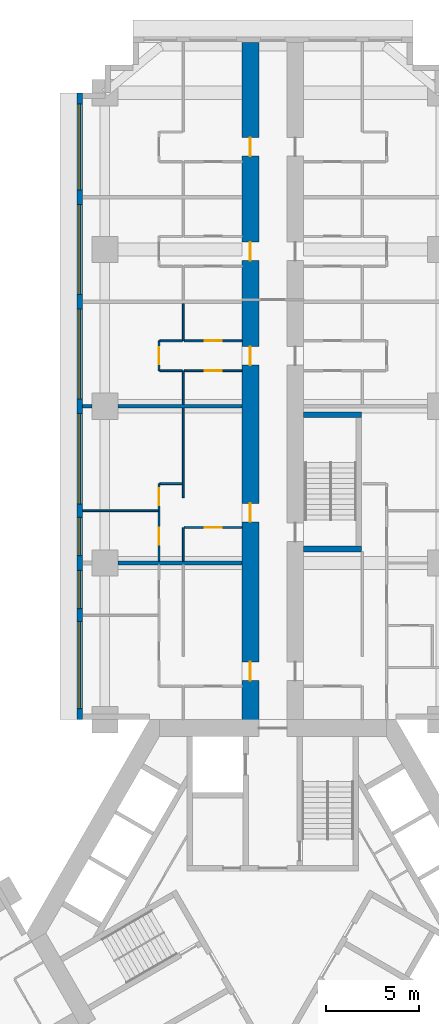
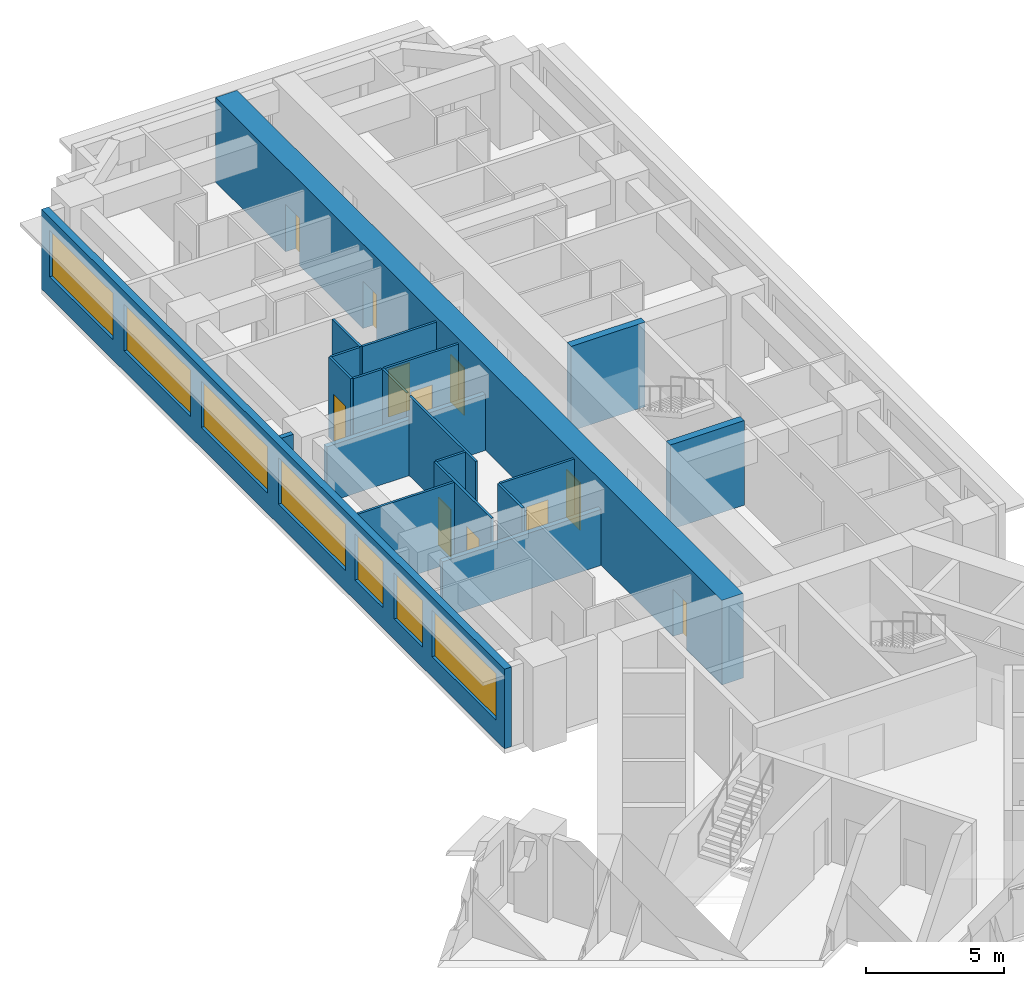
# One storey, part 9 of 16: 20 walls, 11 doors, 7 windows, 18 openings.
"""IFC4 building model written with IfcOpenShell, lengths in metres."""

from ifc_helpers import new_model, si_unit, direction, frame, frame_2d, origin, place, context, subcontext, project, spatial, rectangle, extrude, material, layer, layer_set, type_object, element, fill, save


model = new_model("IFC4")

# Units and contexts
model_context = context("Model", 3, precision=1e-05, world=origin(), true_north=direction((0.0, 1.0)))
body_context = subcontext(model_context, "Body", "Model", "MODEL_VIEW")
ifc_project = project(units=[si_unit("LENGTHUNIT", "METRE"), si_unit("AREAUNIT", "SQUARE_METRE"), si_unit("VOLUMEUNIT", "CUBIC_METRE"), si_unit("PLANEANGLEUNIT", "RADIAN"), si_unit("MASSUNIT", "GRAM", prefix="KILO")], contexts=[model_context])

# Site, building, storey
site_placement = place(None, origin())
site = spatial("IfcSite", under=ifc_project, at=site_placement, CompositionType="ELEMENT")
building_placement = place(site_placement, origin())
building = spatial("IfcBuilding", under=site, at=building_placement, Name="Impinga Residences", CompositionType="ELEMENT")
storey_placement = place(building_placement, frame((0.0, 0.0, 52.25)))
storey = spatial("IfcBuildingStorey", under=building, at=storey_placement, Name="L12", CompositionType="ELEMENT", Elevation=52.25)

# Wall, openings, doors
ifc_material_1 = material(Name="Concrete C70/85", Category="concrete")
ifc_layer_1 = layer(ifc_material_1, 0.89990234375)
ifc_layer_set_1 = layer_set([ifc_layer_1], Name="Concrete C70/85")
wall_type_1 = type_object("IfcWallType", Name="BW1 corridor buttress wall, L05 to L22 900", PredefinedType="SHEAR", material=ifc_layer_set_1)
wall_1_placement = place(storey_placement, frame((-1.199951171875, 10.9814453125, 0.0), z_axis=(0.0, 0.0, 1.0), x_axis=(0.0, 1.0, 0.0)))
wall_1 = element("IfcWall", 1, at=wall_1_placement, inside=storey, type_object=wall_type_1, Name="Corridor wall BW1 NC L12", PredefinedType="SHEAR", context=body_context, shape_type="SweptSolid", body=[
    extrude(rectangle(XDim=36.75, YDim=0.89990234375, at=frame_2d((18.375, 0.0))), origin(), (0.0, 0.0, 1.0), 3.75),
])
opening_1_placement = place(wall_1_placement, frame((2.550048828125, 0.0, 0.0)))
opening_1 = element("IfcOpeningElement", 2, at=opening_1_placement, cuts=wall_1, Name="Opening D1", PredefinedType="OPENING", context=body_context, shape_type="SweptSolid", body=[
    extrude(rectangle(XDim=1.0, YDim=2.10009765625, at=frame_2d((0.5, 1.050048828125))), frame((0.0, 0.4599609375, 0.0), z_axis=(0.0, -1.0, 0.0), x_axis=(1.0, 0.0, 0.0)), (0.0, 0.0, 1.0), 0.919921875),
])
opening_2_placement = place(wall_1_placement, frame((11.050048828125, 0.0, 0.0)))
opening_2 = element("IfcOpeningElement", 3, at=opening_2_placement, cuts=wall_1, Name="Opening D1", PredefinedType="OPENING", context=body_context, shape_type="SweptSolid", body=[
    extrude(rectangle(XDim=1.0, YDim=2.10009765625, at=frame_2d((0.5, 1.050048828125))), frame((0.0, 0.4599609375, 0.0), z_axis=(0.0, -1.0, 0.0), x_axis=(1.0, 0.0, 0.0)), (0.0, 0.0, 1.0), 0.919921875),
])
opening_3_placement = place(wall_1_placement, frame((19.449951171875, 0.0, 0.0)))
opening_3 = element("IfcOpeningElement", 4, at=opening_3_placement, cuts=wall_1, Name="Opening D1", PredefinedType="OPENING", context=body_context, shape_type="SweptSolid", body=[
    extrude(rectangle(XDim=1.0, YDim=2.10009765625, at=frame_2d((0.5, 1.050048828125))), frame((0.0, 0.4599609375, 0.0), z_axis=(0.0, -1.0, 0.0), x_axis=(1.0, 0.0, 0.0)), (0.0, 0.0, 1.0), 0.919921875),
])
opening_4_placement = place(wall_1_placement, frame((25.050048828125, 0.0, 0.0)))
opening_4 = element("IfcOpeningElement", 5, at=opening_4_placement, cuts=wall_1, Name="Opening D1", PredefinedType="OPENING", context=body_context, shape_type="SweptSolid", body=[
    extrude(rectangle(XDim=1.0, YDim=2.10009765625, at=frame_2d((0.5, 1.050048828125))), frame((0.0, 0.4599609375, 0.0), z_axis=(0.0, -1.0, 0.0), x_axis=(1.0, 0.0, 0.0)), (0.0, 0.0, 1.0), 0.919921875),
])
opening_5_placement = place(wall_1_placement, frame((30.64990234375, 0.0, 0.0)))
opening_5 = element("IfcOpeningElement", 6, at=opening_5_placement, cuts=wall_1, Name="Opening D1", PredefinedType="OPENING", context=body_context, shape_type="SweptSolid", body=[
    extrude(rectangle(XDim=1.0, YDim=2.10009765625, at=frame_2d((0.5, 1.050048828125))), frame((0.0, 0.4599609375, 0.0), z_axis=(0.0, -1.0, 0.0), x_axis=(1.0, 0.0, 0.0)), (0.0, 0.0, 1.0), 0.919921875),
])
ifc_material_2 = material(Name="Timber door set", Category="wood")
door_type_1 = type_object("IfcDoorType", Name="D1 apartment entrance door 1000x2100", OperationType="SINGLE_SWING_LEFT", PredefinedType="DOOR", material=ifc_material_2)
door_1_placement = place(opening_1_placement, origin())
door_1 = element("IfcDoor", 7, at=door_1_placement, inside=storey, type_object=door_type_1, Name="Apartment L12-NA1 entrance", OperationType="SINGLE_SWING_LEFT", OverallHeight=2.10009765625, OverallWidth=1.0, PredefinedType="DOOR", context=body_context, shape_type="SweptSolid", body=[
    extrude(rectangle(XDim=1.0, YDim=2.10009765625, at=frame_2d((0.5, 1.050048828125))), frame((0.0, 0.02490234375, 0.0), z_axis=(0.0, -1.0, 0.0), x_axis=(1.0, 0.0, 0.0)), (0.0, 0.0, 1.0), 0.050048828125),
])
fill(opening_1, door_1)
door_2_placement = place(opening_2_placement, origin())
door_2 = element("IfcDoor", 8, at=door_2_placement, inside=storey, type_object=door_type_1, Name="Apartment L12-NA2 entrance", OperationType="SINGLE_SWING_LEFT", OverallHeight=2.10009765625, OverallWidth=1.0, PredefinedType="DOOR", context=body_context, shape_type="SweptSolid", body=[
    extrude(rectangle(XDim=1.0, YDim=2.10009765625, at=frame_2d((0.5, 1.050048828125))), frame((0.0, 0.02490234375, 0.0), z_axis=(0.0, -1.0, 0.0), x_axis=(1.0, 0.0, 0.0)), (0.0, 0.0, 1.0), 0.050048828125),
])
fill(opening_2, door_2)
door_3_placement = place(opening_3_placement, origin())
door_3 = element("IfcDoor", 9, at=door_3_placement, inside=storey, type_object=door_type_1, Name="Apartment L12-NA3 entrance", OperationType="SINGLE_SWING_RIGHT", OverallHeight=2.10009765625, OverallWidth=1.0, PredefinedType="DOOR", context=body_context, shape_type="SweptSolid", body=[
    extrude(rectangle(XDim=1.0, YDim=2.10009765625, at=frame_2d((0.5, 1.050048828125))), frame((0.0, 0.02490234375, 0.0), z_axis=(0.0, -1.0, 0.0), x_axis=(1.0, 0.0, 0.0)), (0.0, 0.0, 1.0), 0.050048828125),
])
fill(opening_3, door_3)
door_4_placement = place(opening_4_placement, origin())
door_4 = element("IfcDoor", 10, at=door_4_placement, inside=storey, type_object=door_type_1, Name="Apartment L12-NA4 entrance", OperationType="SINGLE_SWING_RIGHT", OverallHeight=2.10009765625, OverallWidth=1.0, PredefinedType="DOOR", context=body_context, shape_type="SweptSolid", body=[
    extrude(rectangle(XDim=1.0, YDim=2.10009765625, at=frame_2d((0.5, 1.050048828125))), frame((0.0, 0.02490234375, 0.0), z_axis=(0.0, -1.0, 0.0), x_axis=(1.0, 0.0, 0.0)), (0.0, 0.0, 1.0), 0.050048828125),
])
fill(opening_4, door_4)
door_5_placement = place(opening_5_placement, origin())
door_5 = element("IfcDoor", 11, at=door_5_placement, inside=storey, type_object=door_type_1, Name="Apartment L12-NA5 entrance", OperationType="SINGLE_SWING_RIGHT", OverallHeight=2.10009765625, OverallWidth=1.0, PredefinedType="DOOR", context=body_context, shape_type="SweptSolid", body=[
    extrude(rectangle(XDim=1.0, YDim=2.10009765625, at=frame_2d((0.5, 1.050048828125))), frame((0.0, 0.02490234375, 0.0), z_axis=(0.0, -1.0, 0.0), x_axis=(1.0, 0.0, 0.0)), (0.0, 0.0, 1.0), 0.050048828125),
])
fill(opening_5, door_5)

# Wall, openings, windows
ifc_material_3 = material(Name="Terracotta rainscreen on blockwork", Category="masonry")
ifc_layer_2 = layer(ifc_material_3, 0.300048828125)
ifc_layer_set_2 = layer_set([ifc_layer_2], Name="EW1 external wall, terracotta rainscreen on blockwork 300")
wall_type_2 = type_object("IfcWallType", Name="EW1 external wall, terracotta rainscreen on blockwork 300", PredefinedType="SOLIDWALL", material=ifc_layer_set_2)
wall_2_placement = place(storey_placement, frame((-10.35009765625, 11.431640625, 0.0), z_axis=(0.0, 0.0, 1.0), x_axis=(0.0, 1.0, 0.0)))
wall_2 = element("IfcWall", 12, at=wall_2_placement, inside=storey, type_object=wall_type_2, Name="External wall EW1 L12", PredefinedType="SOLIDWALL", context=body_context, shape_type="SweptSolid", body=[
    extrude(rectangle(XDim=33.599853515625, YDim=0.300048828125, at=frame_2d((16.7998046875, 0.0))), origin(), (0.0, 0.0, 1.0), 3.530029296875),
])
opening_6_placement = place(wall_2_placement, frame((0.60009765625, 0.0, 0.89990234375)))
opening_6 = element("IfcOpeningElement", 13, at=opening_6_placement, cuts=wall_2, Name="Opening W10", PredefinedType="OPENING", context=body_context, shape_type="SweptSolid", body=[
    extrude(rectangle(XDim=4.64990234375, YDim=2.050048828125, at=frame_2d((2.324951171875, 1.02490234375))), frame((0.0, 0.159912109375, 0.0), z_axis=(0.0, -1.0, 0.0), x_axis=(1.0, 0.0, 0.0)), (0.0, 0.0, 1.0), 0.320068359375),
])
opening_7_placement = place(wall_2_placement, frame((5.949951171875, 0.0, 0.89990234375)))
opening_7 = element("IfcOpeningElement", 14, at=opening_7_placement, cuts=wall_2, Name="Opening W14", PredefinedType="OPENING", context=body_context, shape_type="SweptSolid", body=[
    extrude(rectangle(XDim=2.050048828125, YDim=2.050048828125, at=frame_2d((1.02490234375, 1.02490234375))), frame((0.0, 0.159912109375, 0.0), z_axis=(0.0, -1.0, 0.0), x_axis=(1.0, 0.0, 0.0)), (0.0, 0.0, 1.0), 0.320068359375),
])
opening_8_placement = place(wall_2_placement, frame((8.800048828125, 0.0, 0.89990234375)))
opening_8 = element("IfcOpeningElement", 15, at=opening_8_placement, cuts=wall_2, Name="Opening W14", PredefinedType="OPENING", context=body_context, shape_type="SweptSolid", body=[
    extrude(rectangle(XDim=2.050048828125, YDim=2.050048828125, at=frame_2d((1.02490234375, 1.02490234375))), frame((0.0, 0.159912109375, 0.0), z_axis=(0.0, -1.0, 0.0), x_axis=(1.0, 0.0, 0.0)), (0.0, 0.0, 1.0), 0.320068359375),
])
opening_9_placement = place(wall_2_placement, frame((11.550048828125, 0.0, 0.89990234375)))
opening_9 = element("IfcOpeningElement", 16, at=opening_9_placement, cuts=wall_2, Name="Opening W6", PredefinedType="OPENING", context=body_context, shape_type="SweptSolid", body=[
    extrude(rectangle(XDim=4.85009765625, YDim=2.050048828125, at=frame_2d((2.425048828125, 1.02490234375))), frame((0.0, 0.159912109375, 0.0), z_axis=(0.0, -1.0, 0.0), x_axis=(1.0, 0.0, 0.0)), (0.0, 0.0, 1.0), 0.320068359375),
])
opening_10_placement = place(wall_2_placement, frame((17.199951171875, 0.0, 0.89990234375)))
opening_10 = element("IfcOpeningElement", 17, at=opening_10_placement, cuts=wall_2, Name="Opening W8", PredefinedType="OPENING", context=body_context, shape_type="SweptSolid", body=[
    extrude(rectangle(XDim=4.800048828125, YDim=2.050048828125, at=frame_2d((2.39990234375, 1.02490234375))), frame((0.0, 0.159912109375, 0.0), z_axis=(0.0, -1.0, 0.0), x_axis=(1.0, 0.0, 0.0)), (0.0, 0.0, 1.0), 0.320068359375),
])
opening_11_placement = place(wall_2_placement, frame((22.800048828125, 0.0, 0.89990234375)))
opening_11 = element("IfcOpeningElement", 18, at=opening_11_placement, cuts=wall_2, Name="Opening W8", PredefinedType="OPENING", context=body_context, shape_type="SweptSolid", body=[
    extrude(rectangle(XDim=4.800048828125, YDim=2.050048828125, at=frame_2d((2.39990234375, 1.02490234375))), frame((0.0, 0.159912109375, 0.0), z_axis=(0.0, -1.0, 0.0), x_axis=(1.0, 0.0, 0.0)), (0.0, 0.0, 1.0), 0.320068359375),
])
opening_12_placement = place(wall_2_placement, frame((28.39990234375, 0.0, 0.89990234375)))
opening_12 = element("IfcOpeningElement", 19, at=opening_12_placement, cuts=wall_2, Name="Opening W3", PredefinedType="OPENING", context=body_context, shape_type="SweptSolid", body=[
    extrude(rectangle(XDim=4.60009765625, YDim=2.050048828125, at=frame_2d((2.300048828125, 1.02490234375))), frame((0.0, 0.159912109375, 0.0), z_axis=(0.0, -1.0, 0.0), x_axis=(1.0, 0.0, 0.0)), (0.0, 0.0, 1.0), 0.320068359375),
])
ifc_material_4 = material(Name="Aluminium window, clear double glazing", Category="aluminium")
window_type_1 = type_object("IfcWindowType", Name="W10 ribbon window 4650x2050", PartitioningType="SINGLE_PANEL", PredefinedType="WINDOW", material=ifc_material_4)
window_1_placement = place(opening_6_placement, origin())
window_1 = element("IfcWindow", 20, at=window_1_placement, inside=storey, type_object=window_type_1, Name="Window L12", OverallHeight=2.050048828125, OverallWidth=4.64990234375, PartitioningType="SINGLE_PANEL", PredefinedType="WINDOW", context=body_context, shape_type="SweptSolid", body=[
    extrude(rectangle(XDim=4.64990234375, YDim=2.050048828125, at=frame_2d((2.324951171875, 1.02490234375))), frame((0.0, 0.030029296875, 0.0), z_axis=(0.0, -1.0, 0.0), x_axis=(1.0, 0.0, 0.0)), (0.0, 0.0, 1.0), 0.06005859375),
])
fill(opening_6, window_1)
window_type_2 = type_object("IfcWindowType", Name="W14 ribbon window 2050x2050", PartitioningType="SINGLE_PANEL", PredefinedType="WINDOW", material=ifc_material_4)
window_2_placement = place(opening_7_placement, origin())
window_2 = element("IfcWindow", 21, at=window_2_placement, inside=storey, type_object=window_type_2, Name="Window L12", OverallHeight=2.050048828125, OverallWidth=2.050048828125, PartitioningType="SINGLE_PANEL", PredefinedType="WINDOW", context=body_context, shape_type="SweptSolid", body=[
    extrude(rectangle(XDim=2.050048828125, YDim=2.050048828125, at=frame_2d((1.02490234375, 1.02490234375))), frame((0.0, 0.030029296875, 0.0), z_axis=(0.0, -1.0, 0.0), x_axis=(1.0, 0.0, 0.0)), (0.0, 0.0, 1.0), 0.06005859375),
])
fill(opening_7, window_2)
window_3_placement = place(opening_8_placement, origin())
window_3 = element("IfcWindow", 22, at=window_3_placement, inside=storey, type_object=window_type_2, Name="Window L12", OverallHeight=2.050048828125, OverallWidth=2.050048828125, PartitioningType="SINGLE_PANEL", PredefinedType="WINDOW", context=body_context, shape_type="SweptSolid", body=[
    extrude(rectangle(XDim=2.050048828125, YDim=2.050048828125, at=frame_2d((1.02490234375, 1.02490234375))), frame((0.0, 0.030029296875, 0.0), z_axis=(0.0, -1.0, 0.0), x_axis=(1.0, 0.0, 0.0)), (0.0, 0.0, 1.0), 0.06005859375),
])
fill(opening_8, window_3)
window_type_3 = type_object("IfcWindowType", Name="W3 ribbon window 4600x2050", PartitioningType="SINGLE_PANEL", PredefinedType="WINDOW", material=ifc_material_4)
window_4_placement = place(opening_12_placement, origin())
window_4 = element("IfcWindow", 23, at=window_4_placement, inside=storey, type_object=window_type_3, Name="Window L12", OverallHeight=2.050048828125, OverallWidth=4.60009765625, PartitioningType="SINGLE_PANEL", PredefinedType="WINDOW", context=body_context, shape_type="SweptSolid", body=[
    extrude(rectangle(XDim=4.60009765625, YDim=2.050048828125, at=frame_2d((2.300048828125, 1.02490234375))), frame((0.0, 0.030029296875, 0.0), z_axis=(0.0, -1.0, 0.0), x_axis=(1.0, 0.0, 0.0)), (0.0, 0.0, 1.0), 0.06005859375),
])
fill(opening_12, window_4)
window_type_4 = type_object("IfcWindowType", Name="W6 ribbon window 4850x2050", PartitioningType="SINGLE_PANEL", PredefinedType="WINDOW", material=ifc_material_4)
window_5_placement = place(opening_9_placement, origin())
window_5 = element("IfcWindow", 24, at=window_5_placement, inside=storey, type_object=window_type_4, Name="Window L12", OverallHeight=2.050048828125, OverallWidth=4.85009765625, PartitioningType="SINGLE_PANEL", PredefinedType="WINDOW", context=body_context, shape_type="SweptSolid", body=[
    extrude(rectangle(XDim=4.85009765625, YDim=2.050048828125, at=frame_2d((2.425048828125, 1.02490234375))), frame((0.0, 0.030029296875, 0.0), z_axis=(0.0, -1.0, 0.0), x_axis=(1.0, 0.0, 0.0)), (0.0, 0.0, 1.0), 0.06005859375),
])
fill(opening_9, window_5)
window_type_5 = type_object("IfcWindowType", Name="W8 ribbon window 4800x2050", PartitioningType="SINGLE_PANEL", PredefinedType="WINDOW", material=ifc_material_4)
window_6_placement = place(opening_10_placement, origin())
window_6 = element("IfcWindow", 25, at=window_6_placement, inside=storey, type_object=window_type_5, Name="Window L12", OverallHeight=2.050048828125, OverallWidth=4.800048828125, PartitioningType="SINGLE_PANEL", PredefinedType="WINDOW", context=body_context, shape_type="SweptSolid", body=[
    extrude(rectangle(XDim=4.800048828125, YDim=2.050048828125, at=frame_2d((2.39990234375, 1.02490234375))), frame((0.0, 0.030029296875, 0.0), z_axis=(0.0, -1.0, 0.0), x_axis=(1.0, 0.0, 0.0)), (0.0, 0.0, 1.0), 0.06005859375),
])
fill(opening_10, window_6)
window_7_placement = place(opening_11_placement, origin())
window_7 = element("IfcWindow", 26, at=window_7_placement, inside=storey, type_object=window_type_5, Name="Window L12", OverallHeight=2.050048828125, OverallWidth=4.800048828125, PartitioningType="SINGLE_PANEL", PredefinedType="WINDOW", context=body_context, shape_type="SweptSolid", body=[
    extrude(rectangle(XDim=4.800048828125, YDim=2.050048828125, at=frame_2d((2.39990234375, 1.02490234375))), frame((0.0, 0.030029296875, 0.0), z_axis=(0.0, -1.0, 0.0), x_axis=(1.0, 0.0, 0.0)), (0.0, 0.0, 1.0), 0.06005859375),
])
fill(opening_11, window_7)

# Walls
ifc_material_5 = material(Name="Gypsum board on steel studs", Category="steel")
ifc_layer_3 = layer(ifc_material_5, 0.10009765625)
ifc_layer_set_3 = layer_set([ifc_layer_3], Name="Gypsum board on steel studs")
wall_type_3 = type_object("IfcWallType", Name="IP1 partition 100", PredefinedType="PARTITIONING", material=ifc_layer_set_3)
wall_3_placement = place(storey_placement, frame((-4.800048828125, 19.931640625, 0.0), z_axis=(0.0, 0.0, 1.0), x_axis=(0.0, 1.0, 0.0)))
element("IfcWall", 27, at=wall_3_placement, inside=storey, type_object=wall_type_3, Name="Partition L12-NA2:DIV0", PredefinedType="PARTITIONING", context=body_context, shape_type="SweptSolid", body=[
    extrude(rectangle(XDim=1.7998046875, YDim=0.10009765625, at=frame_2d((0.89990234375, 0.0))), origin(), (0.0, 0.0, 1.0), 3.530029296875),
])
wall_4_placement = place(storey_placement, frame((-4.800048828125, 23.33154296875, 0.0), z_axis=(0.0, 0.0, 1.0), x_axis=(0.0, 1.0, 0.0)))
element("IfcWall", 28, at=wall_4_placement, inside=storey, type_object=wall_type_3, Name="Partition L12-NA2:DIV1", PredefinedType="PARTITIONING", context=body_context, shape_type="SweptSolid", body=[
    extrude(rectangle(XDim=4.800048828125, YDim=0.10009765625, at=frame_2d((2.39990234375, 0.0))), origin(), (0.0, 0.0, 1.0), 3.530029296875),
])

# Wall, openings, doors
wall_5_placement = place(storey_placement, frame((-6.10009765625, 19.931640625, 0.0), z_axis=(0.0, 0.0, 1.0), x_axis=(0.0, 1.0, 0.0)))
wall_5 = element("IfcWall", 29, at=wall_5_placement, inside=storey, type_object=wall_type_3, Name="Partition L12-NA2:STRIP", PredefinedType="PARTITIONING", context=body_context, shape_type="SweptSolid", body=[
    extrude(rectangle(XDim=4.14990234375, YDim=0.10009765625, at=frame_2d((2.074951171875, 0.0))), origin(), (0.0, 0.0, 1.0), 3.530029296875),
])
opening_13_placement = place(wall_5_placement, frame((0.875, 0.0, 0.0)))
opening_13 = element("IfcOpeningElement", 30, at=opening_13_placement, cuts=wall_5, Name="Opening D2", PredefinedType="OPENING", context=body_context, shape_type="SweptSolid", body=[
    extrude(rectangle(XDim=0.89990234375, YDim=2.10009765625, at=frame_2d((0.449951171875, 1.050048828125))), frame((0.0, 0.06005859375, 0.0), z_axis=(0.0, -1.0, 0.0), x_axis=(1.0, 0.0, 0.0)), (0.0, 0.0, 1.0), 0.1201171875),
])
opening_14_placement = place(wall_5_placement, frame((3.0, 0.0, 0.0)))
opening_14 = element("IfcOpeningElement", 31, at=opening_14_placement, cuts=wall_5, Name="Opening D2", PredefinedType="OPENING", context=body_context, shape_type="SweptSolid", body=[
    extrude(rectangle(XDim=0.89990234375, YDim=2.10009765625, at=frame_2d((0.449951171875, 1.050048828125))), frame((0.0, 0.06005859375, 0.0), z_axis=(0.0, -1.0, 0.0), x_axis=(1.0, 0.0, 0.0)), (0.0, 0.0, 1.0), 0.1201171875),
])
door_type_2 = type_object("IfcDoorType", Name="D2 internal door 900x2100", OperationType="SINGLE_SWING_LEFT", PredefinedType="DOOR", material=ifc_material_2)
door_6_placement = place(opening_13_placement, origin())
door_6 = element("IfcDoor", 32, at=door_6_placement, inside=storey, type_object=door_type_2, Name="Apartment L12-NA2 room door", OperationType="SINGLE_SWING_LEFT", OverallHeight=2.10009765625, OverallWidth=0.89990234375, PredefinedType="DOOR", context=body_context, shape_type="SweptSolid", body=[
    extrude(rectangle(XDim=0.89990234375, YDim=2.10009765625, at=frame_2d((0.449951171875, 1.050048828125))), frame((0.0, 0.02490234375, 0.0), z_axis=(0.0, -1.0, 0.0), x_axis=(1.0, 0.0, 0.0)), (0.0, 0.0, 1.0), 0.050048828125),
])
fill(opening_13, door_6)
door_7_placement = place(opening_14_placement, origin())
door_7 = element("IfcDoor", 33, at=door_7_placement, inside=storey, type_object=door_type_2, Name="Apartment L12-NA2 room door", OperationType="SINGLE_SWING_RIGHT", OverallHeight=2.10009765625, OverallWidth=0.89990234375, PredefinedType="DOOR", context=body_context, shape_type="SweptSolid", body=[
    extrude(rectangle(XDim=0.89990234375, YDim=2.10009765625, at=frame_2d((0.449951171875, 1.050048828125))), frame((0.0, 0.02490234375, 0.0), z_axis=(0.0, -1.0, 0.0), x_axis=(1.0, 0.0, 0.0)), (0.0, 0.0, 1.0), 0.050048828125),
])
fill(opening_14, door_7)

# Wall
wall_6_placement = place(storey_placement, frame((-4.85009765625, 24.08154296875, 0.0), z_axis=(0.0, 0.0, 1.0), x_axis=(-1.0, 0.0, 0.0)))
element("IfcWall", 34, at=wall_6_placement, inside=storey, type_object=wall_type_3, Name="Partition L12-NA2:SE1", PredefinedType="PARTITIONING", context=body_context, shape_type="SweptSolid", body=[
    extrude(rectangle(XDim=1.199951171875, YDim=0.10009765625, at=frame_2d((0.60009765625, 0.0))), origin(), (0.0, 0.0, 1.0), 3.530029296875),
])

# Wall, opening, door
wall_7_placement = place(storey_placement, frame((-1.64990234375, 21.7314453125, 0.0), z_axis=(0.0, 0.0, 1.0), x_axis=(-1.0, 0.0, 0.0)))
wall_7 = element("IfcWall", 35, at=wall_7_placement, inside=storey, type_object=wall_type_3, Name="Partition L12-NA2:IB1", PredefinedType="PARTITIONING", context=body_context, shape_type="SweptSolid", body=[
    extrude(rectangle(XDim=3.10009765625, YDim=0.10009765625, at=frame_2d((1.550048828125, 0.0))), origin(), (0.0, 0.0, 1.0), 3.530029296875),
])
opening_15_placement = place(wall_7_placement, frame((1.10009765625, 0.0, 0.0)))
opening_15 = element("IfcOpeningElement", 36, at=opening_15_placement, cuts=wall_7, Name="Opening D2", PredefinedType="OPENING", context=body_context, shape_type="SweptSolid", body=[
    extrude(rectangle(XDim=0.89990234375, YDim=2.10009765625, at=frame_2d((0.449951171875, 1.050048828125))), frame((0.0, 0.06005859375, 0.0), z_axis=(0.0, -1.0, 0.0), x_axis=(1.0, 0.0, 0.0)), (0.0, 0.0, 1.0), 0.1201171875),
])
door_8_placement = place(opening_15_placement, origin())
door_8 = element("IfcDoor", 37, at=door_8_placement, inside=storey, type_object=door_type_2, Name="Apartment L12-NA2 bathroom door", OperationType="SINGLE_SWING_LEFT", OverallHeight=2.10009765625, OverallWidth=0.89990234375, PredefinedType="DOOR", context=body_context, shape_type="SweptSolid", body=[
    extrude(rectangle(XDim=0.89990234375, YDim=2.10009765625, at=frame_2d((0.449951171875, 1.050048828125))), frame((0.0, 0.02490234375, 0.0), z_axis=(0.0, -1.0, 0.0), x_axis=(1.0, 0.0, 0.0)), (0.0, 0.0, 1.0), 0.050048828125),
])
fill(opening_15, door_8)

# Walls
wall_8_placement = place(storey_placement, frame((-6.14990234375, 22.631591796875, 0.0), z_axis=(0.0, 0.0, 1.0), x_axis=(-1.0, 0.0, 0.0)))
element("IfcWall", 38, at=wall_8_placement, inside=storey, type_object=wall_type_3, Name="Partition L12-NA2:OB1", PredefinedType="PARTITIONING", context=body_context, shape_type="SweptSolid", body=[
    extrude(rectangle(XDim=4.050048828125, YDim=0.10009765625, at=frame_2d((2.02490234375, 0.0))), origin(), (0.0, 0.0, 1.0), 3.530029296875),
])
wall_9_placement = place(storey_placement, frame((-4.800048828125, 28.33154296875, 0.0), z_axis=(0.0, 0.0, 1.0), x_axis=(0.0, 1.0, 0.0)))
element("IfcWall", 39, at=wall_9_placement, inside=storey, type_object=wall_type_3, Name="Partition L12-NA3:DIV0", PredefinedType="PARTITIONING", context=body_context, shape_type="SweptSolid", body=[
    extrude(rectangle(XDim=1.800048828125, YDim=0.10009765625, at=frame_2d((0.89990234375, 0.0))), origin(), (0.0, 0.0, 1.0), 3.530029296875),
])
wall_10_placement = place(storey_placement, frame((-4.800048828125, 31.7314453125, 0.0), z_axis=(0.0, 0.0, 1.0), x_axis=(0.0, 1.0, 0.0)))
element("IfcWall", 40, at=wall_10_placement, inside=storey, type_object=wall_type_3, Name="Partition L12-NA3:DIV1", PredefinedType="PARTITIONING", context=body_context, shape_type="SweptSolid", body=[
    extrude(rectangle(XDim=2.0, YDim=0.10009765625, at=frame_2d((1.0, 0.0))), origin(), (0.0, 0.0, 1.0), 3.530029296875),
])

# Wall, opening, door
wall_11_placement = place(storey_placement, frame((-6.10009765625, 30.131591796875, 0.0), z_axis=(0.0, 0.0, 1.0), x_axis=(0.0, 1.0, 0.0)))
wall_11 = element("IfcWall", 41, at=wall_11_placement, inside=storey, type_object=wall_type_3, Name="Partition L12-NA3:STRIP", PredefinedType="PARTITIONING", context=body_context, shape_type="SweptSolid", body=[
    extrude(rectangle(XDim=1.599853515625, YDim=0.10009765625, at=frame_2d((0.7998046875, 0.0))), origin(), (0.0, 0.0, 1.0), 3.530029296875),
])
opening_16_placement = place(wall_11_placement, frame((0.35009765625, 0.0, 0.0)))
opening_16 = element("IfcOpeningElement", 42, at=opening_16_placement, cuts=wall_11, Name="Opening D2", PredefinedType="OPENING", context=body_context, shape_type="SweptSolid", body=[
    extrude(rectangle(XDim=0.89990234375, YDim=2.10009765625, at=frame_2d((0.449951171875, 1.050048828125))), frame((0.0, 0.06005859375, 0.0), z_axis=(0.0, -1.0, 0.0), x_axis=(1.0, 0.0, 0.0)), (0.0, 0.0, 1.0), 0.1201171875),
])
door_9_placement = place(opening_16_placement, origin())
door_9 = element("IfcDoor", 43, at=door_9_placement, inside=storey, type_object=door_type_2, Name="Apartment L12-NA3 room door", OperationType="SINGLE_SWING_LEFT", OverallHeight=2.10009765625, OverallWidth=0.89990234375, PredefinedType="DOOR", context=body_context, shape_type="SweptSolid", body=[
    extrude(rectangle(XDim=0.89990234375, YDim=2.10009765625, at=frame_2d((0.449951171875, 1.050048828125))), frame((0.0, 0.02490234375, 0.0), z_axis=(0.0, -1.0, 0.0), x_axis=(1.0, 0.0, 0.0)), (0.0, 0.0, 1.0), 0.050048828125),
])
fill(opening_16, door_9)

# Walls
for number, where, z_axis, x_axis, name in (
    (44, (-4.85009765625, 30.131591796875, 0.0), (0.0, 0.0, 1.0), (-1.0, 0.0, 0.0), "Partition L12-NA3:SE0"),
    (45, (-4.85009765625, 31.7314453125, 0.0), (0.0, 0.0, 1.0), (-1.0, 0.0, 0.0), "Partition L12-NA3:SE1"),
):
    element("IfcWall", number, at=place(storey_placement, frame(where, z_axis=z_axis, x_axis=x_axis)), inside=storey, type_object=wall_type_3, Name=name, PredefinedType="PARTITIONING", context=body_context, shape_type="SweptSolid", body=[
        extrude(rectangle(XDim=1.199951171875, YDim=0.10009765625, at=frame_2d((0.60009765625, 0.0))), origin(), (0.0, 0.0, 1.0), 3.530029296875),
    ])

# Wall, opening, door
wall_12_placement = place(storey_placement, frame((-1.64990234375, 30.131591796875, 0.0), z_axis=(0.0, 0.0, 1.0), x_axis=(-1.0, 0.0, 0.0)))
wall_12 = element("IfcWall", 46, at=wall_12_placement, inside=storey, type_object=wall_type_3, Name="Partition L12-NA3:IB1", PredefinedType="PARTITIONING", context=body_context, shape_type="SweptSolid", body=[
    extrude(rectangle(XDim=3.10009765625, YDim=0.10009765625, at=frame_2d((1.550048828125, 0.0))), origin(), (0.0, 0.0, 1.0), 3.530029296875),
])
opening_17_placement = place(wall_12_placement, frame((1.10009765625, 0.0, 0.0)))
opening_17 = element("IfcOpeningElement", 47, at=opening_17_placement, cuts=wall_12, Name="Opening D2", PredefinedType="OPENING", context=body_context, shape_type="SweptSolid", body=[
    extrude(rectangle(XDim=0.89990234375, YDim=2.10009765625, at=frame_2d((0.449951171875, 1.050048828125))), frame((0.0, 0.06005859375, 0.0), z_axis=(0.0, -1.0, 0.0), x_axis=(1.0, 0.0, 0.0)), (0.0, 0.0, 1.0), 0.1201171875),
])
door_10_placement = place(opening_17_placement, origin())
door_10 = element("IfcDoor", 48, at=door_10_placement, inside=storey, type_object=door_type_2, Name="Apartment L12-NA3 bathroom door", OperationType="SINGLE_SWING_LEFT", OverallHeight=2.10009765625, OverallWidth=0.89990234375, PredefinedType="DOOR", context=body_context, shape_type="SweptSolid", body=[
    extrude(rectangle(XDim=0.89990234375, YDim=2.10009765625, at=frame_2d((0.449951171875, 1.050048828125))), frame((0.0, 0.02490234375, 0.0), z_axis=(0.0, -1.0, 0.0), x_axis=(1.0, 0.0, 0.0)), (0.0, 0.0, 1.0), 0.050048828125),
])
fill(opening_17, door_10)

wall_13_placement = place(storey_placement, frame((-1.64990234375, 31.7314453125, 0.0), z_axis=(0.0, 0.0, 1.0), x_axis=(-1.0, 0.0, 0.0)))
wall_13 = element("IfcWall", 49, at=wall_13_placement, inside=storey, type_object=wall_type_3, Name="Partition L12-NA3:IB2", PredefinedType="PARTITIONING", context=body_context, shape_type="SweptSolid", body=[
    extrude(rectangle(XDim=3.10009765625, YDim=0.10009765625, at=frame_2d((1.550048828125, 0.0))), origin(), (0.0, 0.0, 1.0), 3.530029296875),
])
opening_18_placement = place(wall_13_placement, frame((1.10009765625, 0.0, 0.0)))
opening_18 = element("IfcOpeningElement", 50, at=opening_18_placement, cuts=wall_13, Name="Opening D2", PredefinedType="OPENING", context=body_context, shape_type="SweptSolid", body=[
    extrude(rectangle(XDim=0.89990234375, YDim=2.10009765625, at=frame_2d((0.449951171875, 1.050048828125))), frame((0.0, 0.06005859375, 0.0), z_axis=(0.0, -1.0, 0.0), x_axis=(1.0, 0.0, 0.0)), (0.0, 0.0, 1.0), 0.1201171875),
])
door_11_placement = place(opening_18_placement, origin())
door_11 = element("IfcDoor", 51, at=door_11_placement, inside=storey, type_object=door_type_2, Name="Apartment L12-NA3 WC door", OperationType="SINGLE_SWING_LEFT", OverallHeight=2.10009765625, OverallWidth=0.89990234375, PredefinedType="DOOR", context=body_context, shape_type="SweptSolid", body=[
    extrude(rectangle(XDim=0.89990234375, YDim=2.10009765625, at=frame_2d((0.449951171875, 1.050048828125))), frame((0.0, 0.02490234375, 0.0), z_axis=(0.0, -1.0, 0.0), x_axis=(1.0, 0.0, 0.0)), (0.0, 0.0, 1.0), 0.050048828125),
])
fill(opening_18, door_11)

# Walls
ifc_material_6 = material(Name="Concrete blockwork", Category="masonry")
ifc_layer_4 = layer(ifc_material_6, 0.199951171875)
ifc_layer_set_4 = layer_set([ifc_layer_4], Name="PW1 party wall between apartments 200")
wall_type_4 = type_object("IfcWallType", Name="PW1 party wall between apartments 200", PredefinedType="SOLIDWALL", material=ifc_layer_set_4)
for number, where, z_axis, x_axis, name in (
    (52, (-1.64990234375, 19.83154296875, 0.0), (0.0, 0.0, 1.0), (-1.0, 0.0, 0.0), "Party wall between apartments L12-NA1:PARTY"),
    (53, (-1.64990234375, 28.2314453125, 0.0), (0.0, 0.0, 1.0), (-1.0, 0.0, 0.0), "Party wall between apartments L12-NA2:PARTY"),
):
    element("IfcWall", number, at=place(storey_placement, frame(where, z_axis=z_axis, x_axis=x_axis)), inside=storey, type_object=wall_type_4, Name=name, PredefinedType="SOLIDWALL", context=body_context, shape_type="SweptSolid", body=[
        extrude(rectangle(XDim=6.650146484375, YDim=0.199951171875, at=frame_2d((3.3251953125, 0.0))), origin(), (0.0, 0.0, 1.0), 2.47998046875),
    ])
wall_14_placement = place(storey_placement, frame((-9.699951171875, 28.2314453125, 0.0), z_axis=(0.0, 0.0, 1.0), x_axis=(-1.0, 0.0, 0.0)))
element("IfcWall", 54, at=wall_14_placement, inside=storey, type_object=wall_type_4, Name="Party wall between apartments L12-NA2:PARTYb", PredefinedType="SOLIDWALL", context=body_context, shape_type="SweptSolid", body=[
    extrude(rectangle(XDim=0.5, YDim=0.199951171875, at=frame_2d((0.25, 0.0))), origin(), (0.0, 0.0, 1.0), 3.530029296875),
])
ifc_material_7 = material(Name="Concrete C60/75", Category="concrete")
ifc_layer_5 = layer(ifc_material_7, 0.300048828125)
ifc_layer_set_5 = layer_set([ifc_layer_5], Name="Concrete C60/75")
wall_type_5 = type_object("IfcWallType", Name="SE1 wing stair enclosure wall 300", PredefinedType="SOLIDWALL", material=ifc_layer_set_5)
for number, where, z_axis, x_axis, name in (
    (55, (1.64990234375, 20.58154296875, 0.0), (0.0, 0.0, 1.0), (1.0, 0.0, 0.0), "Stair enclosure wall SE1 N END0 L12"),
    (56, (1.64990234375, 27.781494140625, 0.0), (0.0, 0.0, 1.0), (1.0, 0.0, 0.0), "Stair enclosure wall SE1 N END1 L12"),
):
    element("IfcWall", number, at=place(storey_placement, frame(where, z_axis=z_axis, x_axis=x_axis)), inside=storey, type_object=wall_type_5, Name=name, PredefinedType="SOLIDWALL", context=body_context, shape_type="SweptSolid", body=[
        extrude(rectangle(XDim=3.10009765625, YDim=0.300048828125, at=frame_2d((1.550048828125, 0.0))), origin(), (0.0, 0.0, 1.0), 3.75),
    ])

save(model, "model.ifc")
